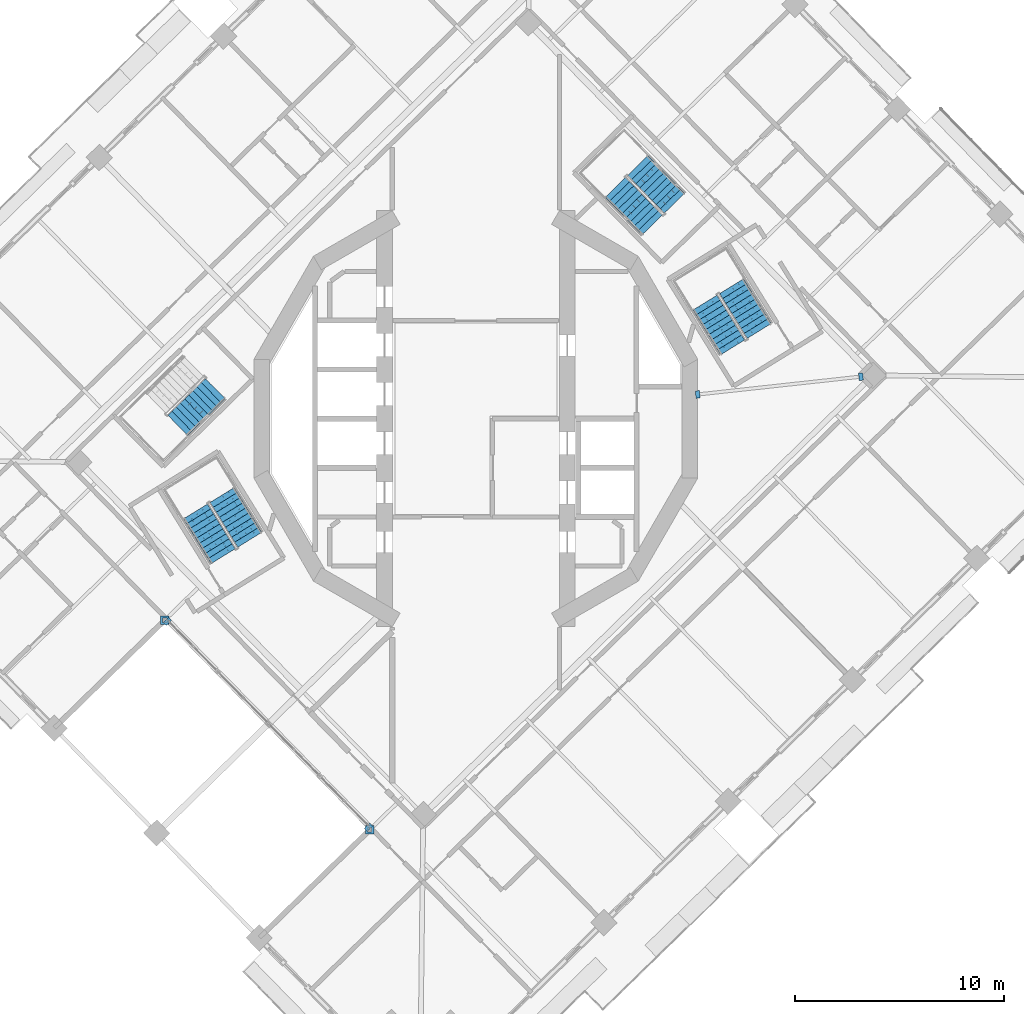
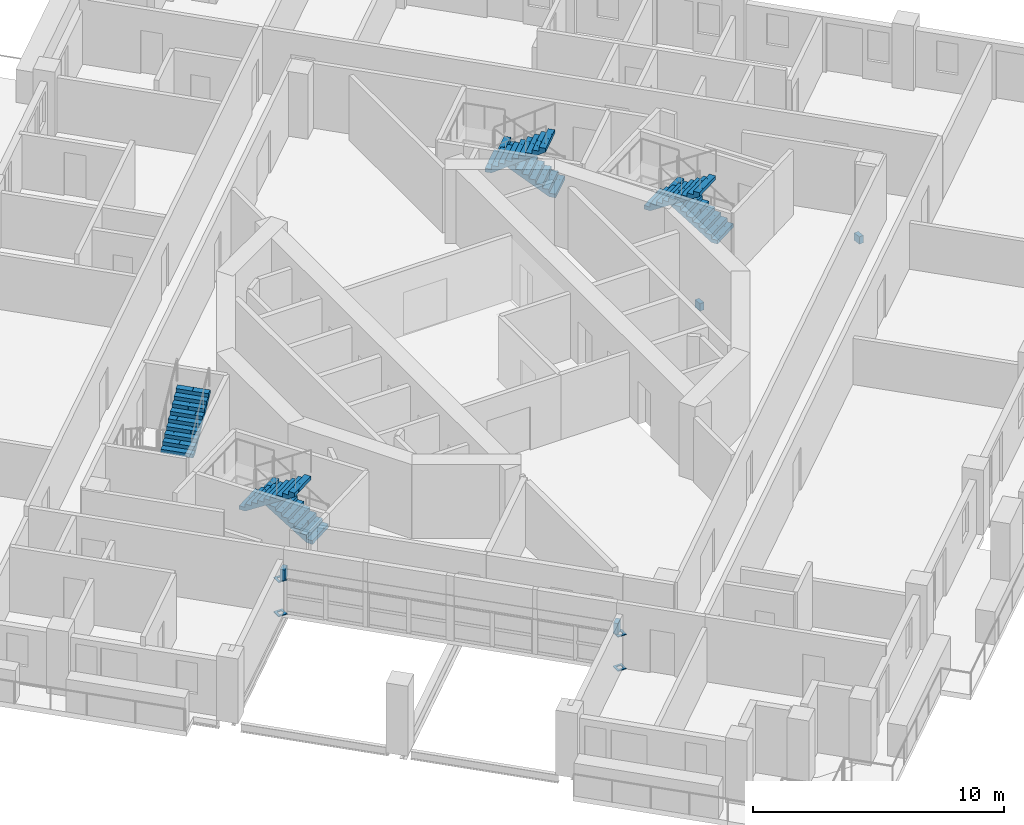
# One storey, part 13 of 19: 8 discrete accessories, 7 stair flights, 4 elements without a shape of their own.
"""IFC4 building model written with IfcOpenShell, lengths in metres."""

import ifcopenshell
import ifcopenshell.guid

model = None  # the IFC model being written
_history = None  # IfcOwnerHistory: only IFC2X3 demands one
_inside = {}  # id of a spatial element -> (the spatial element, [elements in it])
_under = {}  # id of a project, library or spatial element -> (it, [spatial elements below it])
_declared = {}  # id of a project -> (the project, [libraries it declares])
_typed = {}  # id of a type object -> (the type object, [elements of that type])
_made_of = {}  # id of a material, layer set ... -> (it, [elements and type objects made of it])


def new_model(schema):
    """Start an empty IFC model of exactly this schema.

    Asked for "IFC4X3", IfcOpenShell would pick the latest addendum, in which some entities
    have other attributes; the version numbers below select the first issue.
    IFC2X3 requires an IfcOwnerHistory on every rooted entity: one is made here for all.
    """
    global model, _history
    if schema == "IFC4X3":
        model = ifcopenshell.file(schema_version=(4, 3, 0, 0))
    else:
        model = ifcopenshell.file(schema=schema)
    _inside.clear()
    _under.clear()
    _declared.clear()
    _typed.clear()
    _made_of.clear()
    _history = None
    if model.schema == "IFC2X3":
        org = make("IfcOrganization", Name="unknown")
        user = make(
            "IfcPersonAndOrganization",
            ThePerson=make("IfcPerson", FamilyName="unknown"),
            TheOrganization=org,
        )
        app = make(
            "IfcApplication",
            ApplicationDeveloper=org,
            Version="unknown",
            ApplicationFullName="unknown",
            ApplicationIdentifier="unknown",
        )
        _history = make(
            "IfcOwnerHistory",
            OwningUser=user,
            OwningApplication=app,
            ChangeAction="ADDED",
            CreationDate=0,
        )
    return model


def make(cls, **values):
    """One entity of the class cls with the attributes given. An attribute that is None is left unset."""
    return model.create_entity(
        cls, **{name: value for name, value in values.items() if value is not None}
    )


def rooted(cls, **values):
    """An entity with a GlobalId (a new one), such as an element, a storey or a relation."""
    return make(cls, GlobalId=ifcopenshell.guid.new(), OwnerHistory=_history, **values)


def si_unit(unit_type, name, prefix=None):
    """IfcSIUnit, for example si_unit("LENGTHUNIT", "METRE", prefix="MILLI")."""
    return make("IfcSIUnit", UnitType=unit_type, Prefix=prefix, Name=name)


def assignment(units):
    """IfcUnitAssignment: the units of a project."""
    return None if units is None else make("IfcUnitAssignment", Units=units)


def point(xyz):
    """IfcCartesianPoint."""
    return None if xyz is None else make("IfcCartesianPoint", Coordinates=xyz)


def direction(xyz):
    """IfcDirection."""
    return None if xyz is None else make("IfcDirection", DirectionRatios=xyz)


def frame(location, z_axis=None, x_axis=None):
    """IfcAxis2Placement3D, a coordinate frame: its origin and axes. An axis left out is left unset."""
    return make(
        "IfcAxis2Placement3D",
        Location=point(location),
        Axis=direction(z_axis),
        RefDirection=direction(x_axis),
    )


def origin():
    """The frame at (0, 0, 0) with its axes left unset."""
    return frame((0.0, 0.0, 0.0))


def place(relative_to, where):
    """IfcLocalPlacement: puts the frame where relative to a parent placement (None: the world)."""
    return make(
        "IfcLocalPlacement", PlacementRelTo=relative_to, RelativePlacement=where
    )


def context(
    kind, dimensions, precision=None, world=None, true_north=None, identifier=None
):
    """IfcGeometricRepresentationContext, for example the 3D "Model" context."""
    return make(
        "IfcGeometricRepresentationContext",
        ContextIdentifier=identifier,
        ContextType=kind,
        CoordinateSpaceDimension=dimensions,
        Precision=precision,
        WorldCoordinateSystem=world,
        TrueNorth=true_north,
    )


def subcontext(parent, identifier, kind, view, scale=None):
    """IfcGeometricRepresentationSubContext, for example "Body" below "Model"."""
    return make(
        "IfcGeometricRepresentationSubContext",
        ContextIdentifier=identifier,
        ContextType=kind,
        ParentContext=parent,
        TargetScale=scale,
        TargetView=view,
    )


def project(units=None, contexts=None):
    """IfcProject with its units and contexts."""
    return rooted(
        "IfcProject",
        Name="project",
        RepresentationContexts=contexts,
        UnitsInContext=assignment(units),
    )


def spatial(cls, under=None, at=None, **own):
    """A site, building, storey or space (cls), placed at a placement, below another one or the project."""
    s = rooted(cls, ObjectPlacement=at, **own)
    if under is not None:
        _under.setdefault(under.id(), (under, []))[1].append(s)
    return s


def polyline(points):
    """IfcPolyline through the points."""
    return make("IfcPolyline", Points=[point(p) for p in points])


def outline(outer, holes=None, kind="AREA"):
    """IfcArbitraryClosedProfileDef: a profile drawn as a closed curve; with holes, ...WithVoids."""
    if holes is None:
        return make("IfcArbitraryClosedProfileDef", ProfileType=kind, OuterCurve=outer)
    return make(
        "IfcArbitraryProfileDefWithVoids",
        ProfileType=kind,
        OuterCurve=outer,
        InnerCurves=holes,
    )


def extrude(swept, where, along, depth):
    """IfcExtrudedAreaSolid: the profile swept, set in the frame where, extruded along a direction by depth."""
    return make(
        "IfcExtrudedAreaSolid",
        SweptArea=swept,
        Position=where,
        ExtrudedDirection=direction(along),
        Depth=depth,
    )


def shape(context_of_items, identifier, shape_type, items):
    """IfcShapeRepresentation: the items that make up one representation, for example the "Body"."""
    return make(
        "IfcShapeRepresentation",
        ContextOfItems=context_of_items,
        RepresentationIdentifier=identifier,
        RepresentationType=shape_type,
        Items=items,
    )


def material(Name=None, Category=None):
    """IfcMaterial."""
    return make("IfcMaterial", Name=Name, Category=Category)


def layer(
    of_material, thickness, ventilated=None, Name=None, Category=None, Priority=None
):
    """IfcMaterialLayer: one layer of a wall or slab, of a material (None: an air gap)."""
    return make(
        "IfcMaterialLayer",
        Material=of_material,
        LayerThickness=thickness,
        IsVentilated=ventilated,
        Name=Name,
        Category=Category,
        Priority=Priority,
    )


def layer_set(layers, Name=None):
    """IfcMaterialLayerSet."""
    return make("IfcMaterialLayerSet", MaterialLayers=layers, LayerSetName=Name)


def made_of(thing, what):
    """Note that an element or type object is made of a material, layer set ...; save() writes the relation."""
    if what is not None:
        _made_of.setdefault(what.id(), (what, []))[1].append(thing)
    return thing


def type_object(cls, material=None, **own):
    """A type object (cls), such as IfcWallType, which elements share."""
    return made_of(rooted(cls, **own), material)


def element(
    cls,
    number,
    at=None,
    inside=None,
    cuts=None,
    type_object=None,
    material=None,
    context=None,
    identifier="Body",
    shape_type=None,
    held_by="IfcProductDefinitionShape",
    body=None,
    shapes=None,
    **own,
):
    """One element of the class cls, such as IfcWall. Its Tag is "e" and its number.

    at: its placement. inside: the storey or other place that contains it. cuts: it is an
    opening in that element (IfcRelVoidsElement). A single representation is given by context,
    identifier, shape_type and body (its items); several are given by shapes. held_by: the class
    of the entity that holds the representations. save() writes the other relations.
    """
    e = rooted(cls, Tag="e%d" % number, ObjectPlacement=at, **own)
    if body is not None:
        shapes = [shape(context, identifier, shape_type, body)]
    if shapes is not None:
        e.Representation = make(held_by, Representations=shapes)
    if inside is not None:
        _inside.setdefault(inside.id(), (inside, []))[1].append(e)
    if cuts is not None:
        rooted(
            "IfcRelVoidsElement", RelatingBuildingElement=cuts, RelatedOpeningElement=e
        )
    if type_object is not None:
        _typed.setdefault(type_object.id(), (type_object, []))[1].append(e)
    return made_of(e, material)


def aggregate(whole, parts):
    """IfcRelAggregates: a whole, such as a stair, and the parts it consists of."""
    return rooted("IfcRelAggregates", RelatingObject=whole, RelatedObjects=parts)


def save(model, path):
    """Write the relations noted so far, then the file.

    IfcRelAggregates (storeys below a building ...), IfcRelContainedInSpatialStructure (elements
    in a storey), IfcRelDefinesByType, IfcRelAssociatesMaterial and IfcRelDeclares: one each for
    every whole, place, type object, material and project.
    """
    for whole, parts in _under.values():
        aggregate(whole, parts)
    for where, things in _inside.values():
        rooted(
            "IfcRelContainedInSpatialStructure",
            RelatedElements=things,
            RelatingStructure=where,
        )
    for kind, things in _typed.values():
        rooted("IfcRelDefinesByType", RelatedObjects=things, RelatingType=kind)
    for what, things in _made_of.values():
        rooted("IfcRelAssociatesMaterial", RelatedObjects=things, RelatingMaterial=what)
    for by, libraries in _declared.values():
        rooted("IfcRelDeclares", RelatingContext=by, RelatedDefinitions=libraries)
    model.write(path)


model = new_model("IFC4")

# Units and contexts
model_context = context("Model", 3, precision=1e-05, world=origin(), true_north=direction((0.0, 1.0)))
body_context = subcontext(model_context, "Body", "Model", "MODEL_VIEW")
ifc_project = project(units=[si_unit("LENGTHUNIT", "METRE"), si_unit("AREAUNIT", "SQUARE_METRE"), si_unit("VOLUMEUNIT", "CUBIC_METRE"), si_unit("PLANEANGLEUNIT", "RADIAN"), si_unit("MASSUNIT", "GRAM", prefix="KILO")], contexts=[model_context])

# Site, building, storey
site_placement = place(None, origin())
site = spatial("IfcSite", under=ifc_project, at=site_placement, CompositionType="ELEMENT")
building_placement = place(site_placement, origin())
building = spatial("IfcBuilding", under=site, at=building_placement, Name="Cantera Rosa Tower", CompositionType="ELEMENT")
storey_placement = place(building_placement, frame((0.0, 0.0, 241.39990234375)))
storey = spatial("IfcBuildingStorey", under=building, at=storey_placement, Name="L53", CompositionType="ELEMENT", Elevation=241.39990234375)

# Stair, stair flights
ifc_material_1 = material(Name="Concrete C35/45", Category="concrete")
stair_type = type_object("IfcStairType", Name="EXIT STAIR 1350 DOGLEG", PredefinedType="HALF_TURN_STAIR", material=ifc_material_1)
stair_1_placement = place(storey_placement, origin())
stair_1 = element("IfcStair", 1, at=stair_1_placement, inside=storey, type_object=stair_type, Name="L53 ST-41", PredefinedType="HALF_TURN_STAIR")
ifc_material_2 = material(Name="Concrete C35/45", Category="concrete")
stair_flight_type = type_object("IfcStairFlightType", Name="STAIR FLIGHT 1350 R20x180", PredefinedType="STRAIGHT", material=ifc_material_2)
stair_flight_1_placement = place(storey_placement, frame((13.5732421875, 4.2021484375, 0.0), z_axis=(0.0, 0.0, 1.0), x_axis=(-0.524976585286, 0.851116669383, 0.0)))
stair_flight_1 = element("IfcStairFlight", 2, at=stair_flight_1_placement, type_object=stair_flight_type, Name="ST-41 flight 1", NumberOfRisers=10, NumberOfTreads=9, PredefinedType="STRAIGHT", RiserHeight=0.18, TreadLength=0.28, context=body_context, shape_type="SweptSolid", body=[
    extrude(outline(polyline([(0.0, 0.0), (0.0, 0.179931640625), (0.280029296875, 0.179931640625), (0.280029296875, 0.360107421875), (0.56005859375, 0.360107421875), (0.56005859375, 0.5400390625), (0.840087890625, 0.5400390625), (0.840087890625, 0.719970703125), (1.1201171875, 0.719970703125), (1.1201171875, 0.89990234375), (1.39990234375, 0.89990234375), (1.39990234375, 1.080078125), (1.679931640625, 1.080078125), (1.679931640625, 1.260009765625), (1.9599609375, 1.260009765625), (1.9599609375, 1.43994140625), (2.239990234375, 1.43994140625), (2.239990234375, 1.6201171875), (2.52001953125, 1.6201171875), (2.52001953125, 1.800048828125), (2.52001953125, 1.44189453125), (0.277099609375, 0.0), (0.0, 0.0)])), frame((0.0, 0.675048828125, 0.0), z_axis=(0.0, -1.0, 0.0), x_axis=(1.0, 0.0, 0.0)), (0.0, 0.0, 1.0), 0.3359375),
    extrude(outline(polyline([(0.0, 0.0), (0.0, 0.179931640625), (0.280029296875, 0.179931640625), (0.280029296875, 0.360107421875), (0.56005859375, 0.360107421875), (0.56005859375, 0.5400390625), (0.840087890625, 0.5400390625), (0.840087890625, 0.719970703125), (1.1201171875, 0.719970703125), (1.1201171875, 0.89990234375), (1.39990234375, 0.89990234375), (1.39990234375, 1.080078125), (1.679931640625, 1.080078125), (1.679931640625, 1.260009765625), (1.9599609375, 1.260009765625), (1.9599609375, 1.43994140625), (2.239990234375, 1.43994140625), (2.239990234375, 1.6201171875), (2.52001953125, 1.6201171875), (2.52001953125, 1.800048828125), (2.52001953125, 1.44189453125), (0.277099609375, 0.0), (0.0, 0.0)])), frame((0.0, 0.337158203125, 0.0), z_axis=(0.0, -1.0, 0.0), x_axis=(1.0, 0.0, 0.0)), (0.0, 0.0, 1.0), 0.3359375),
    extrude(outline(polyline([(0.0, 0.0), (0.0, 0.179931640625), (0.280029296875, 0.179931640625), (0.280029296875, 0.360107421875), (0.56005859375, 0.360107421875), (0.56005859375, 0.5400390625), (0.840087890625, 0.5400390625), (0.840087890625, 0.719970703125), (1.1201171875, 0.719970703125), (1.1201171875, 0.89990234375), (1.39990234375, 0.89990234375), (1.39990234375, 1.080078125), (1.679931640625, 1.080078125), (1.679931640625, 1.260009765625), (1.9599609375, 1.260009765625), (1.9599609375, 1.43994140625), (2.239990234375, 1.43994140625), (2.239990234375, 1.6201171875), (2.52001953125, 1.6201171875), (2.52001953125, 1.800048828125), (2.52001953125, 1.44189453125), (0.277099609375, 0.0), (0.0, 0.0)])), frame((0.0, -0.000732421875, 0.0), z_axis=(0.0, -1.0, 0.0), x_axis=(1.0, 0.0, 0.0)), (0.0, 0.0, 1.0), 0.3359375),
    extrude(outline(polyline([(0.0, 0.0), (0.0, 0.179931640625), (0.280029296875, 0.179931640625), (0.280029296875, 0.360107421875), (0.56005859375, 0.360107421875), (0.56005859375, 0.5400390625), (0.840087890625, 0.5400390625), (0.840087890625, 0.719970703125), (1.1201171875, 0.719970703125), (1.1201171875, 0.89990234375), (1.39990234375, 0.89990234375), (1.39990234375, 1.080078125), (1.679931640625, 1.080078125), (1.679931640625, 1.260009765625), (1.9599609375, 1.260009765625), (1.9599609375, 1.43994140625), (2.239990234375, 1.43994140625), (2.239990234375, 1.6201171875), (2.52001953125, 1.6201171875), (2.52001953125, 1.800048828125), (2.52001953125, 1.44189453125), (0.277099609375, 0.0), (0.0, 0.0)])), frame((0.0, -0.338623046875, 0.0), z_axis=(0.0, -1.0, 0.0), x_axis=(1.0, 0.0, 0.0)), (0.0, 0.0, 1.0), 0.3359375),
])
stair_flight_2_placement = place(storey_placement, frame((10.9736328125, 5.5595703125, 1.800048828125), z_axis=(0.0, 0.0, 1.0), x_axis=(0.524976585286, -0.851116669383, 0.0)))
stair_flight_2 = element("IfcStairFlight", 3, at=stair_flight_2_placement, type_object=stair_flight_type, Name="ST-41 flight 2", NumberOfRisers=10, NumberOfTreads=9, PredefinedType="STRAIGHT", RiserHeight=0.18, TreadLength=0.28, context=body_context, shape_type="SweptSolid", body=[
    extrude(outline(polyline([(0.0, 0.0), (0.0, 0.179931640625), (0.280029296875, 0.179931640625), (0.280029296875, 0.360107421875), (0.56005859375, 0.360107421875), (0.56005859375, 0.5400390625), (0.840087890625, 0.5400390625), (0.840087890625, 0.719970703125), (1.1201171875, 0.719970703125), (1.1201171875, 0.89990234375), (1.39990234375, 0.89990234375), (1.39990234375, 1.080078125), (1.679931640625, 1.080078125), (1.679931640625, 1.260009765625), (1.9599609375, 1.260009765625), (1.9599609375, 1.43994140625), (2.239990234375, 1.43994140625), (2.239990234375, 1.6201171875), (2.52001953125, 1.6201171875), (2.52001953125, 1.800048828125), (2.52001953125, 1.44189453125), (0.277099609375, 0.0), (0.0, 0.0)])), frame((0.0, 0.675048828125, 0.0), z_axis=(0.0, -1.0, 0.0), x_axis=(1.0, 0.0, 0.0)), (0.0, 0.0, 1.0), 0.3359375),
    extrude(outline(polyline([(0.0, 0.0), (0.0, 0.179931640625), (0.280029296875, 0.179931640625), (0.280029296875, 0.360107421875), (0.56005859375, 0.360107421875), (0.56005859375, 0.5400390625), (0.840087890625, 0.5400390625), (0.840087890625, 0.719970703125), (1.1201171875, 0.719970703125), (1.1201171875, 0.89990234375), (1.39990234375, 0.89990234375), (1.39990234375, 1.080078125), (1.679931640625, 1.080078125), (1.679931640625, 1.260009765625), (1.9599609375, 1.260009765625), (1.9599609375, 1.43994140625), (2.239990234375, 1.43994140625), (2.239990234375, 1.6201171875), (2.52001953125, 1.6201171875), (2.52001953125, 1.800048828125), (2.52001953125, 1.44189453125), (0.277099609375, 0.0), (0.0, 0.0)])), frame((0.0, 0.337158203125, 0.0), z_axis=(0.0, -1.0, 0.0), x_axis=(1.0, 0.0, 0.0)), (0.0, 0.0, 1.0), 0.3359375),
    extrude(outline(polyline([(0.0, 0.0), (0.0, 0.179931640625), (0.280029296875, 0.179931640625), (0.280029296875, 0.360107421875), (0.56005859375, 0.360107421875), (0.56005859375, 0.5400390625), (0.840087890625, 0.5400390625), (0.840087890625, 0.719970703125), (1.1201171875, 0.719970703125), (1.1201171875, 0.89990234375), (1.39990234375, 0.89990234375), (1.39990234375, 1.080078125), (1.679931640625, 1.080078125), (1.679931640625, 1.260009765625), (1.9599609375, 1.260009765625), (1.9599609375, 1.43994140625), (2.239990234375, 1.43994140625), (2.239990234375, 1.6201171875), (2.52001953125, 1.6201171875), (2.52001953125, 1.800048828125), (2.52001953125, 1.44189453125), (0.277099609375, 0.0), (0.0, 0.0)])), frame((0.0, -0.000732421875, 0.0), z_axis=(0.0, -1.0, 0.0), x_axis=(1.0, 0.0, 0.0)), (0.0, 0.0, 1.0), 0.3359375),
    extrude(outline(polyline([(0.0, 0.0), (0.0, 0.179931640625), (0.280029296875, 0.179931640625), (0.280029296875, 0.360107421875), (0.56005859375, 0.360107421875), (0.56005859375, 0.5400390625), (0.840087890625, 0.5400390625), (0.840087890625, 0.719970703125), (1.1201171875, 0.719970703125), (1.1201171875, 0.89990234375), (1.39990234375, 0.89990234375), (1.39990234375, 1.080078125), (1.679931640625, 1.080078125), (1.679931640625, 1.260009765625), (1.9599609375, 1.260009765625), (1.9599609375, 1.43994140625), (2.239990234375, 1.43994140625), (2.239990234375, 1.6201171875), (2.52001953125, 1.6201171875), (2.52001953125, 1.800048828125), (2.52001953125, 1.44189453125), (0.277099609375, 0.0), (0.0, 0.0)])), frame((0.0, -0.338623046875, 0.0), z_axis=(0.0, -1.0, 0.0), x_axis=(1.0, 0.0, 0.0)), (0.0, 0.0, 1.0), 0.3359375),
])
aggregate(stair_1, [stair_flight_1, stair_flight_2])

stair_2_placement = place(storey_placement, origin())
stair_2 = element("IfcStair", 4, at=stair_2_placement, inside=storey, type_object=stair_type, Name="L53 ST-42", PredefinedType="HALF_TURN_STAIR")
stair_flight_3_placement = place(storey_placement, frame((9.514892578125, 10.32275390625, 0.0), z_axis=(0.0, 0.0, 1.0), x_axis=(-0.698831536207, 0.715286295132, 0.0)))
stair_flight_3 = element("IfcStairFlight", 5, at=stair_flight_3_placement, type_object=stair_flight_type, Name="ST-42 flight 1", NumberOfRisers=10, NumberOfTreads=9, PredefinedType="STRAIGHT", RiserHeight=0.18, TreadLength=0.28, context=body_context, shape_type="SweptSolid", body=[
    extrude(outline(polyline([(0.0, 0.0), (0.0, 0.179931640625), (0.280029296875, 0.179931640625), (0.280029296875, 0.360107421875), (0.56005859375, 0.360107421875), (0.56005859375, 0.5400390625), (0.840087890625, 0.5400390625), (0.840087890625, 0.719970703125), (1.1201171875, 0.719970703125), (1.1201171875, 0.89990234375), (1.39990234375, 0.89990234375), (1.39990234375, 1.080078125), (1.679931640625, 1.080078125), (1.679931640625, 1.260009765625), (1.9599609375, 1.260009765625), (1.9599609375, 1.43994140625), (2.239990234375, 1.43994140625), (2.239990234375, 1.6201171875), (2.52001953125, 1.6201171875), (2.52001953125, 1.800048828125), (2.52001953125, 1.44189453125), (0.277099609375, 0.0), (0.0, 0.0)])), frame((0.0, 0.675048828125, 0.0), z_axis=(0.0, -1.0, 0.0), x_axis=(1.0, 0.0, 0.0)), (0.0, 0.0, 1.0), 0.3359375),
    extrude(outline(polyline([(0.0, 0.0), (0.0, 0.179931640625), (0.280029296875, 0.179931640625), (0.280029296875, 0.360107421875), (0.56005859375, 0.360107421875), (0.56005859375, 0.5400390625), (0.840087890625, 0.5400390625), (0.840087890625, 0.719970703125), (1.1201171875, 0.719970703125), (1.1201171875, 0.89990234375), (1.39990234375, 0.89990234375), (1.39990234375, 1.080078125), (1.679931640625, 1.080078125), (1.679931640625, 1.260009765625), (1.9599609375, 1.260009765625), (1.9599609375, 1.43994140625), (2.239990234375, 1.43994140625), (2.239990234375, 1.6201171875), (2.52001953125, 1.6201171875), (2.52001953125, 1.800048828125), (2.52001953125, 1.44189453125), (0.277099609375, 0.0), (0.0, 0.0)])), frame((0.0, 0.337158203125, 0.0), z_axis=(0.0, -1.0, 0.0), x_axis=(1.0, 0.0, 0.0)), (0.0, 0.0, 1.0), 0.3359375),
    extrude(outline(polyline([(0.0, 0.0), (0.0, 0.179931640625), (0.280029296875, 0.179931640625), (0.280029296875, 0.360107421875), (0.56005859375, 0.360107421875), (0.56005859375, 0.5400390625), (0.840087890625, 0.5400390625), (0.840087890625, 0.719970703125), (1.1201171875, 0.719970703125), (1.1201171875, 0.89990234375), (1.39990234375, 0.89990234375), (1.39990234375, 1.080078125), (1.679931640625, 1.080078125), (1.679931640625, 1.260009765625), (1.9599609375, 1.260009765625), (1.9599609375, 1.43994140625), (2.239990234375, 1.43994140625), (2.239990234375, 1.6201171875), (2.52001953125, 1.6201171875), (2.52001953125, 1.800048828125), (2.52001953125, 1.44189453125), (0.277099609375, 0.0), (0.0, 0.0)])), frame((0.0, -0.000732421875, 0.0), z_axis=(0.0, -1.0, 0.0), x_axis=(1.0, 0.0, 0.0)), (0.0, 0.0, 1.0), 0.3359375),
    extrude(outline(polyline([(0.0, 0.0), (0.0, 0.179931640625), (0.280029296875, 0.179931640625), (0.280029296875, 0.360107421875), (0.56005859375, 0.360107421875), (0.56005859375, 0.5400390625), (0.840087890625, 0.5400390625), (0.840087890625, 0.719970703125), (1.1201171875, 0.719970703125), (1.1201171875, 0.89990234375), (1.39990234375, 0.89990234375), (1.39990234375, 1.080078125), (1.679931640625, 1.080078125), (1.679931640625, 1.260009765625), (1.9599609375, 1.260009765625), (1.9599609375, 1.43994140625), (2.239990234375, 1.43994140625), (2.239990234375, 1.6201171875), (2.52001953125, 1.6201171875), (2.52001953125, 1.800048828125), (2.52001953125, 1.44189453125), (0.277099609375, 0.0), (0.0, 0.0)])), frame((0.0, -0.338623046875, 0.0), z_axis=(0.0, -1.0, 0.0), x_axis=(1.0, 0.0, 0.0)), (0.0, 0.0, 1.0), 0.3359375),
])
stair_flight_4_placement = place(storey_placement, frame((6.680908203125, 11.076904296875, 1.800048828125), z_axis=(0.0, 0.0, 1.0), x_axis=(0.698831536207, -0.715286295132, 0.0)))
stair_flight_4 = element("IfcStairFlight", 6, at=stair_flight_4_placement, type_object=stair_flight_type, Name="ST-42 flight 2", NumberOfRisers=10, NumberOfTreads=9, PredefinedType="STRAIGHT", RiserHeight=0.18, TreadLength=0.28, context=body_context, shape_type="SweptSolid", body=[
    extrude(outline(polyline([(0.0, 0.0), (0.0, 0.179931640625), (0.280029296875, 0.179931640625), (0.280029296875, 0.360107421875), (0.56005859375, 0.360107421875), (0.56005859375, 0.5400390625), (0.840087890625, 0.5400390625), (0.840087890625, 0.719970703125), (1.1201171875, 0.719970703125), (1.1201171875, 0.89990234375), (1.39990234375, 0.89990234375), (1.39990234375, 1.080078125), (1.679931640625, 1.080078125), (1.679931640625, 1.260009765625), (1.9599609375, 1.260009765625), (1.9599609375, 1.43994140625), (2.239990234375, 1.43994140625), (2.239990234375, 1.6201171875), (2.52001953125, 1.6201171875), (2.52001953125, 1.800048828125), (2.52001953125, 1.44189453125), (0.277099609375, 0.0), (0.0, 0.0)])), frame((0.0, 0.675048828125, 0.0), z_axis=(0.0, -1.0, 0.0), x_axis=(1.0, 0.0, 0.0)), (0.0, 0.0, 1.0), 0.3359375),
    extrude(outline(polyline([(0.0, 0.0), (0.0, 0.179931640625), (0.280029296875, 0.179931640625), (0.280029296875, 0.360107421875), (0.56005859375, 0.360107421875), (0.56005859375, 0.5400390625), (0.840087890625, 0.5400390625), (0.840087890625, 0.719970703125), (1.1201171875, 0.719970703125), (1.1201171875, 0.89990234375), (1.39990234375, 0.89990234375), (1.39990234375, 1.080078125), (1.679931640625, 1.080078125), (1.679931640625, 1.260009765625), (1.9599609375, 1.260009765625), (1.9599609375, 1.43994140625), (2.239990234375, 1.43994140625), (2.239990234375, 1.6201171875), (2.52001953125, 1.6201171875), (2.52001953125, 1.800048828125), (2.52001953125, 1.44189453125), (0.277099609375, 0.0), (0.0, 0.0)])), frame((0.0, 0.337158203125, 0.0), z_axis=(0.0, -1.0, 0.0), x_axis=(1.0, 0.0, 0.0)), (0.0, 0.0, 1.0), 0.3359375),
    extrude(outline(polyline([(0.0, 0.0), (0.0, 0.179931640625), (0.280029296875, 0.179931640625), (0.280029296875, 0.360107421875), (0.56005859375, 0.360107421875), (0.56005859375, 0.5400390625), (0.840087890625, 0.5400390625), (0.840087890625, 0.719970703125), (1.1201171875, 0.719970703125), (1.1201171875, 0.89990234375), (1.39990234375, 0.89990234375), (1.39990234375, 1.080078125), (1.679931640625, 1.080078125), (1.679931640625, 1.260009765625), (1.9599609375, 1.260009765625), (1.9599609375, 1.43994140625), (2.239990234375, 1.43994140625), (2.239990234375, 1.6201171875), (2.52001953125, 1.6201171875), (2.52001953125, 1.800048828125), (2.52001953125, 1.44189453125), (0.277099609375, 0.0), (0.0, 0.0)])), frame((0.0, -0.000732421875, 0.0), z_axis=(0.0, -1.0, 0.0), x_axis=(1.0, 0.0, 0.0)), (0.0, 0.0, 1.0), 0.3359375),
    extrude(outline(polyline([(0.0, 0.0), (0.0, 0.179931640625), (0.280029296875, 0.179931640625), (0.280029296875, 0.360107421875), (0.56005859375, 0.360107421875), (0.56005859375, 0.5400390625), (0.840087890625, 0.5400390625), (0.840087890625, 0.719970703125), (1.1201171875, 0.719970703125), (1.1201171875, 0.89990234375), (1.39990234375, 0.89990234375), (1.39990234375, 1.080078125), (1.679931640625, 1.080078125), (1.679931640625, 1.260009765625), (1.9599609375, 1.260009765625), (1.9599609375, 1.43994140625), (2.239990234375, 1.43994140625), (2.239990234375, 1.6201171875), (2.52001953125, 1.6201171875), (2.52001953125, 1.800048828125), (2.52001953125, 1.44189453125), (0.277099609375, 0.0), (0.0, 0.0)])), frame((0.0, -0.338623046875, 0.0), z_axis=(0.0, -1.0, 0.0), x_axis=(1.0, 0.0, 0.0)), (0.0, 0.0, 1.0), 0.3359375),
])
aggregate(stair_2, [stair_flight_3, stair_flight_4])

# Stair, stair flight
stair_3_placement = place(storey_placement, origin())
stair_3 = element("IfcStair", 7, at=stair_3_placement, inside=storey, type_object=stair_type, Name="L53 ST-43", PredefinedType="HALF_TURN_STAIR")
stair_flight_5_placement = place(storey_placement, frame((-14.277099609375, -0.319091796875, 1.800048828125), z_axis=(0.0, 0.0, 1.0), x_axis=(0.715286295132, 0.698831536207, 0.0)))
stair_flight_5 = element("IfcStairFlight", 8, at=stair_flight_5_placement, type_object=stair_flight_type, Name="ST-43 flight 2", NumberOfRisers=10, NumberOfTreads=9, PredefinedType="STRAIGHT", RiserHeight=0.18, TreadLength=0.28, context=body_context, shape_type="SweptSolid", body=[
    extrude(outline(polyline([(0.0, 0.0), (0.0, 0.179931640625), (0.280029296875, 0.179931640625), (0.280029296875, 0.360107421875), (0.56005859375, 0.360107421875), (0.56005859375, 0.5400390625), (0.840087890625, 0.5400390625), (0.840087890625, 0.719970703125), (1.1201171875, 0.719970703125), (1.1201171875, 0.89990234375), (1.39990234375, 0.89990234375), (1.39990234375, 1.080078125), (1.679931640625, 1.080078125), (1.679931640625, 1.260009765625), (1.9599609375, 1.260009765625), (1.9599609375, 1.43994140625), (2.239990234375, 1.43994140625), (2.239990234375, 1.6201171875), (2.52001953125, 1.6201171875), (2.52001953125, 1.800048828125), (2.52001953125, 1.44189453125), (0.277099609375, 0.0), (0.0, 0.0)])), frame((0.0, 0.675048828125, 0.0), z_axis=(0.0, -1.0, 0.0), x_axis=(1.0, 0.0, 0.0)), (0.0, 0.0, 1.0), 0.3359375),
    extrude(outline(polyline([(0.0, 0.0), (0.0, 0.179931640625), (0.280029296875, 0.179931640625), (0.280029296875, 0.360107421875), (0.56005859375, 0.360107421875), (0.56005859375, 0.5400390625), (0.840087890625, 0.5400390625), (0.840087890625, 0.719970703125), (1.1201171875, 0.719970703125), (1.1201171875, 0.89990234375), (1.39990234375, 0.89990234375), (1.39990234375, 1.080078125), (1.679931640625, 1.080078125), (1.679931640625, 1.260009765625), (1.9599609375, 1.260009765625), (1.9599609375, 1.43994140625), (2.239990234375, 1.43994140625), (2.239990234375, 1.6201171875), (2.52001953125, 1.6201171875), (2.52001953125, 1.800048828125), (2.52001953125, 1.44189453125), (0.277099609375, 0.0), (0.0, 0.0)])), frame((0.0, 0.337158203125, 0.0), z_axis=(0.0, -1.0, 0.0), x_axis=(1.0, 0.0, 0.0)), (0.0, 0.0, 1.0), 0.3359375),
    extrude(outline(polyline([(0.0, 0.0), (0.0, 0.179931640625), (0.280029296875, 0.179931640625), (0.280029296875, 0.360107421875), (0.56005859375, 0.360107421875), (0.56005859375, 0.5400390625), (0.840087890625, 0.5400390625), (0.840087890625, 0.719970703125), (1.1201171875, 0.719970703125), (1.1201171875, 0.89990234375), (1.39990234375, 0.89990234375), (1.39990234375, 1.080078125), (1.679931640625, 1.080078125), (1.679931640625, 1.260009765625), (1.9599609375, 1.260009765625), (1.9599609375, 1.43994140625), (2.239990234375, 1.43994140625), (2.239990234375, 1.6201171875), (2.52001953125, 1.6201171875), (2.52001953125, 1.800048828125), (2.52001953125, 1.44189453125), (0.277099609375, 0.0), (0.0, 0.0)])), frame((0.0, -0.000732421875, 0.0), z_axis=(0.0, -1.0, 0.0), x_axis=(1.0, 0.0, 0.0)), (0.0, 0.0, 1.0), 0.3359375),
    extrude(outline(polyline([(0.0, 0.0), (0.0, 0.179931640625), (0.280029296875, 0.179931640625), (0.280029296875, 0.360107421875), (0.56005859375, 0.360107421875), (0.56005859375, 0.5400390625), (0.840087890625, 0.5400390625), (0.840087890625, 0.719970703125), (1.1201171875, 0.719970703125), (1.1201171875, 0.89990234375), (1.39990234375, 0.89990234375), (1.39990234375, 1.080078125), (1.679931640625, 1.080078125), (1.679931640625, 1.260009765625), (1.9599609375, 1.260009765625), (1.9599609375, 1.43994140625), (2.239990234375, 1.43994140625), (2.239990234375, 1.6201171875), (2.52001953125, 1.6201171875), (2.52001953125, 1.800048828125), (2.52001953125, 1.44189453125), (0.277099609375, 0.0), (0.0, 0.0)])), frame((0.0, -0.338623046875, 0.0), z_axis=(0.0, -1.0, 0.0), x_axis=(1.0, 0.0, 0.0)), (0.0, 0.0, 1.0), 0.3359375),
])
aggregate(stair_3, [stair_flight_5])

# Stair, stair flights
stair_4_placement = place(storey_placement, origin())
stair_4 = element("IfcStair", 9, at=stair_4_placement, inside=storey, type_object=stair_type, Name="L53 ST-44", PredefinedType="HALF_TURN_STAIR")
stair_flight_6_placement = place(storey_placement, frame((-10.82666015625, -5.7978515625, 0.0), z_axis=(0.0, 0.0, 1.0), x_axis=(-0.524976585286, 0.851116669383, 0.0)))
stair_flight_6 = element("IfcStairFlight", 10, at=stair_flight_6_placement, type_object=stair_flight_type, Name="ST-44 flight 1", NumberOfRisers=10, NumberOfTreads=9, PredefinedType="STRAIGHT", RiserHeight=0.18, TreadLength=0.28, context=body_context, shape_type="SweptSolid", body=[
    extrude(outline(polyline([(0.0, 0.0), (0.0, 0.179931640625), (0.280029296875, 0.179931640625), (0.280029296875, 0.360107421875), (0.56005859375, 0.360107421875), (0.56005859375, 0.5400390625), (0.840087890625, 0.5400390625), (0.840087890625, 0.719970703125), (1.1201171875, 0.719970703125), (1.1201171875, 0.89990234375), (1.39990234375, 0.89990234375), (1.39990234375, 1.080078125), (1.679931640625, 1.080078125), (1.679931640625, 1.260009765625), (1.9599609375, 1.260009765625), (1.9599609375, 1.43994140625), (2.239990234375, 1.43994140625), (2.239990234375, 1.6201171875), (2.52001953125, 1.6201171875), (2.52001953125, 1.800048828125), (2.52001953125, 1.44189453125), (0.277099609375, 0.0), (0.0, 0.0)])), frame((0.0, 0.675048828125, 0.0), z_axis=(0.0, -1.0, 0.0), x_axis=(1.0, 0.0, 0.0)), (0.0, 0.0, 1.0), 0.3359375),
    extrude(outline(polyline([(0.0, 0.0), (0.0, 0.179931640625), (0.280029296875, 0.179931640625), (0.280029296875, 0.360107421875), (0.56005859375, 0.360107421875), (0.56005859375, 0.5400390625), (0.840087890625, 0.5400390625), (0.840087890625, 0.719970703125), (1.1201171875, 0.719970703125), (1.1201171875, 0.89990234375), (1.39990234375, 0.89990234375), (1.39990234375, 1.080078125), (1.679931640625, 1.080078125), (1.679931640625, 1.260009765625), (1.9599609375, 1.260009765625), (1.9599609375, 1.43994140625), (2.239990234375, 1.43994140625), (2.239990234375, 1.6201171875), (2.52001953125, 1.6201171875), (2.52001953125, 1.800048828125), (2.52001953125, 1.44189453125), (0.277099609375, 0.0), (0.0, 0.0)])), frame((0.0, 0.337158203125, 0.0), z_axis=(0.0, -1.0, 0.0), x_axis=(1.0, 0.0, 0.0)), (0.0, 0.0, 1.0), 0.3359375),
    extrude(outline(polyline([(0.0, 0.0), (0.0, 0.179931640625), (0.280029296875, 0.179931640625), (0.280029296875, 0.360107421875), (0.56005859375, 0.360107421875), (0.56005859375, 0.5400390625), (0.840087890625, 0.5400390625), (0.840087890625, 0.719970703125), (1.1201171875, 0.719970703125), (1.1201171875, 0.89990234375), (1.39990234375, 0.89990234375), (1.39990234375, 1.080078125), (1.679931640625, 1.080078125), (1.679931640625, 1.260009765625), (1.9599609375, 1.260009765625), (1.9599609375, 1.43994140625), (2.239990234375, 1.43994140625), (2.239990234375, 1.6201171875), (2.52001953125, 1.6201171875), (2.52001953125, 1.800048828125), (2.52001953125, 1.44189453125), (0.277099609375, 0.0), (0.0, 0.0)])), frame((0.0, -0.000732421875, 0.0), z_axis=(0.0, -1.0, 0.0), x_axis=(1.0, 0.0, 0.0)), (0.0, 0.0, 1.0), 0.3359375),
    extrude(outline(polyline([(0.0, 0.0), (0.0, 0.179931640625), (0.280029296875, 0.179931640625), (0.280029296875, 0.360107421875), (0.56005859375, 0.360107421875), (0.56005859375, 0.5400390625), (0.840087890625, 0.5400390625), (0.840087890625, 0.719970703125), (1.1201171875, 0.719970703125), (1.1201171875, 0.89990234375), (1.39990234375, 0.89990234375), (1.39990234375, 1.080078125), (1.679931640625, 1.080078125), (1.679931640625, 1.260009765625), (1.9599609375, 1.260009765625), (1.9599609375, 1.43994140625), (2.239990234375, 1.43994140625), (2.239990234375, 1.6201171875), (2.52001953125, 1.6201171875), (2.52001953125, 1.800048828125), (2.52001953125, 1.44189453125), (0.277099609375, 0.0), (0.0, 0.0)])), frame((0.0, -0.338623046875, 0.0), z_axis=(0.0, -1.0, 0.0), x_axis=(1.0, 0.0, 0.0)), (0.0, 0.0, 1.0), 0.3359375),
])
stair_flight_7_placement = place(storey_placement, frame((-13.42626953125, -4.4404296875, 1.800048828125), z_axis=(0.0, 0.0, 1.0), x_axis=(0.524976585286, -0.851116669383, 0.0)))
stair_flight_7 = element("IfcStairFlight", 11, at=stair_flight_7_placement, type_object=stair_flight_type, Name="ST-44 flight 2", NumberOfRisers=10, NumberOfTreads=9, PredefinedType="STRAIGHT", RiserHeight=0.18, TreadLength=0.28, context=body_context, shape_type="SweptSolid", body=[
    extrude(outline(polyline([(0.0, 0.0), (0.0, 0.179931640625), (0.280029296875, 0.179931640625), (0.280029296875, 0.360107421875), (0.56005859375, 0.360107421875), (0.56005859375, 0.5400390625), (0.840087890625, 0.5400390625), (0.840087890625, 0.719970703125), (1.1201171875, 0.719970703125), (1.1201171875, 0.89990234375), (1.39990234375, 0.89990234375), (1.39990234375, 1.080078125), (1.679931640625, 1.080078125), (1.679931640625, 1.260009765625), (1.9599609375, 1.260009765625), (1.9599609375, 1.43994140625), (2.239990234375, 1.43994140625), (2.239990234375, 1.6201171875), (2.52001953125, 1.6201171875), (2.52001953125, 1.800048828125), (2.52001953125, 1.44189453125), (0.277099609375, 0.0), (0.0, 0.0)])), frame((0.0, 0.675048828125, 0.0), z_axis=(0.0, -1.0, 0.0), x_axis=(1.0, 0.0, 0.0)), (0.0, 0.0, 1.0), 0.3359375),
    extrude(outline(polyline([(0.0, 0.0), (0.0, 0.179931640625), (0.280029296875, 0.179931640625), (0.280029296875, 0.360107421875), (0.56005859375, 0.360107421875), (0.56005859375, 0.5400390625), (0.840087890625, 0.5400390625), (0.840087890625, 0.719970703125), (1.1201171875, 0.719970703125), (1.1201171875, 0.89990234375), (1.39990234375, 0.89990234375), (1.39990234375, 1.080078125), (1.679931640625, 1.080078125), (1.679931640625, 1.260009765625), (1.9599609375, 1.260009765625), (1.9599609375, 1.43994140625), (2.239990234375, 1.43994140625), (2.239990234375, 1.6201171875), (2.52001953125, 1.6201171875), (2.52001953125, 1.800048828125), (2.52001953125, 1.44189453125), (0.277099609375, 0.0), (0.0, 0.0)])), frame((0.0, 0.337158203125, 0.0), z_axis=(0.0, -1.0, 0.0), x_axis=(1.0, 0.0, 0.0)), (0.0, 0.0, 1.0), 0.3359375),
    extrude(outline(polyline([(0.0, 0.0), (0.0, 0.179931640625), (0.280029296875, 0.179931640625), (0.280029296875, 0.360107421875), (0.56005859375, 0.360107421875), (0.56005859375, 0.5400390625), (0.840087890625, 0.5400390625), (0.840087890625, 0.719970703125), (1.1201171875, 0.719970703125), (1.1201171875, 0.89990234375), (1.39990234375, 0.89990234375), (1.39990234375, 1.080078125), (1.679931640625, 1.080078125), (1.679931640625, 1.260009765625), (1.9599609375, 1.260009765625), (1.9599609375, 1.43994140625), (2.239990234375, 1.43994140625), (2.239990234375, 1.6201171875), (2.52001953125, 1.6201171875), (2.52001953125, 1.800048828125), (2.52001953125, 1.44189453125), (0.277099609375, 0.0), (0.0, 0.0)])), frame((0.0, -0.000732421875, 0.0), z_axis=(0.0, -1.0, 0.0), x_axis=(1.0, 0.0, 0.0)), (0.0, 0.0, 1.0), 0.3359375),
    extrude(outline(polyline([(0.0, 0.0), (0.0, 0.179931640625), (0.280029296875, 0.179931640625), (0.280029296875, 0.360107421875), (0.56005859375, 0.360107421875), (0.56005859375, 0.5400390625), (0.840087890625, 0.5400390625), (0.840087890625, 0.719970703125), (1.1201171875, 0.719970703125), (1.1201171875, 0.89990234375), (1.39990234375, 0.89990234375), (1.39990234375, 1.080078125), (1.679931640625, 1.080078125), (1.679931640625, 1.260009765625), (1.9599609375, 1.260009765625), (1.9599609375, 1.43994140625), (2.239990234375, 1.43994140625), (2.239990234375, 1.6201171875), (2.52001953125, 1.6201171875), (2.52001953125, 1.800048828125), (2.52001953125, 1.44189453125), (0.277099609375, 0.0), (0.0, 0.0)])), frame((0.0, -0.338623046875, 0.0), z_axis=(0.0, -1.0, 0.0), x_axis=(1.0, 0.0, 0.0)), (0.0, 0.0, 1.0), 0.3359375),
])
aggregate(stair_4, [stair_flight_6, stair_flight_7])

# Discrete accessories
ifc_material_3 = material(Name="Steel ASTM A992 (Fy 345 MPa)", Category="steel")
ifc_layer = layer(ifc_material_3, 0.0400390625)
ifc_layer_set = layer_set([ifc_layer], Name="STEEL BEARING PLATE 40")
discrete_accessory_type = type_object("IfcDiscreteAccessoryType", Name="STEEL BEARING PLATE 40", PredefinedType="ANCHORPLATE", material=ifc_layer_set)
discrete_accessory_1_placement = place(storey_placement, frame((0.0, 0.0, -0.659912109375)))
element("IfcDiscreteAccessory", 12, at=discrete_accessory_1_placement, inside=storey, type_object=discrete_accessory_type, Name="BEARING PLATE PG-Z4-01 end 1 L53", PredefinedType="ANCHORPLATE", context=body_context, shape_type="SweptSolid", body=[
    extrude(outline(polyline([(18.362548828125, 1.828125), (18.5615234375, 1.849853515625), (18.52294921875, 2.20166015625), (18.32421875, 2.179931640625), (18.362548828125, 1.828125)])), origin(), (0.0, 0.0, 1.0), 0.360107421875),
])
discrete_accessory_2_placement = place(storey_placement, frame((0.0, 0.0, -0.659912109375)))
element("IfcDiscreteAccessory", 13, at=discrete_accessory_2_placement, inside=storey, type_object=discrete_accessory_type, Name="BEARING PLATE PG-Z4-01 end 2 L53", PredefinedType="ANCHORPLATE", context=body_context, shape_type="SweptSolid", body=[
    extrude(outline(polyline([(10.705322265625, 1.34765625), (10.506591796875, 1.325927734375), (10.544921875, 0.97412109375), (10.743896484375, 0.99560546875), (10.705322265625, 1.34765625)])), origin(), (0.0, 0.0, 1.0), 0.360107421875),
])
for number, where, name in (
    (14, (0.0, 0.0, 0.0), "POST PLATE L53-1F"),
    (15, (0.0, 0.0, 1.666015625), "POST PLATE L53-1T"),
):
    element("IfcDiscreteAccessory", number, at=place(storey_placement, frame(where)), inside=storey, type_object=discrete_accessory_type, Name=name, PredefinedType="ANCHORPLATE", context=body_context, shape_type="SweptSolid", body=[
        extrude(outline(polyline([(-15.098876953125, -9.84912109375), (-14.698974609375, -9.84912109375), (-14.698974609375, -9.448974609375), (-15.098876953125, -9.448974609375), (-15.098876953125, -9.84912109375)]), holes=[polyline([(-14.998779296875, -9.7490234375), (-14.798828125, -9.7490234375), (-14.798828125, -9.549072265625), (-14.998779296875, -9.549072265625), (-14.998779296875, -9.7490234375)])]), origin(), (0.0, 0.0, 1.0), 0.0400390625),
    ])
for number, where, name in (
    (16, (0.0, 0.0, 0.0), "POST PLATE L53-2F"),
    (17, (0.0, 0.0, 1.666015625), "POST PLATE L53-2T"),
):
    element("IfcDiscreteAccessory", number, at=place(storey_placement, frame(where)), inside=storey, type_object=discrete_accessory_type, Name=name, PredefinedType="ANCHORPLATE", context=body_context, shape_type="SweptSolid", body=[
        extrude(outline(polyline([(-5.287353515625, -19.8916015625), (-4.88720703125, -19.8916015625), (-4.88720703125, -19.49169921875), (-5.287353515625, -19.49169921875), (-5.287353515625, -19.8916015625)]), holes=[polyline([(-5.187255859375, -19.79150390625), (-4.9873046875, -19.79150390625), (-4.9873046875, -19.591552734375), (-5.187255859375, -19.591552734375), (-5.187255859375, -19.79150390625)])]), origin(), (0.0, 0.0, 1.0), 0.0400390625),
    ])
discrete_accessory_3_placement = place(storey_placement, frame((0.0, 0.0, 1.7060546875)))
element("IfcDiscreteAccessory", 18, at=discrete_accessory_3_placement, inside=storey, type_object=discrete_accessory_type, Name="LINTEL PLATE L53-1", PredefinedType="ANCHORPLATE", context=body_context, shape_type="SweptSolid", body=[
    extrude(outline(polyline([(-14.574951171875, -9.647216796875), (-14.714599609375, -9.504150390625), (-14.9765625, -9.759765625), (-14.8369140625, -9.90283203125), (-14.574951171875, -9.647216796875)])), origin(), (0.0, 0.0, 1.0), 0.528076171875),
])
discrete_accessory_4_placement = place(storey_placement, frame((0.0, 0.0, 1.7060546875)))
element("IfcDiscreteAccessory", 19, at=discrete_accessory_4_placement, inside=storey, type_object=discrete_accessory_type, Name="LINTEL PLATE L53-2", PredefinedType="ANCHORPLATE", context=body_context, shape_type="SweptSolid", body=[
    extrude(outline(polyline([(-5.339599609375, -19.62353515625), (-5.199951171875, -19.7666015625), (-4.93798828125, -19.510986328125), (-5.077880859375, -19.367919921875), (-5.339599609375, -19.62353515625)])), origin(), (0.0, 0.0, 1.0), 0.528076171875),
])

save(model, "model.ifc")
